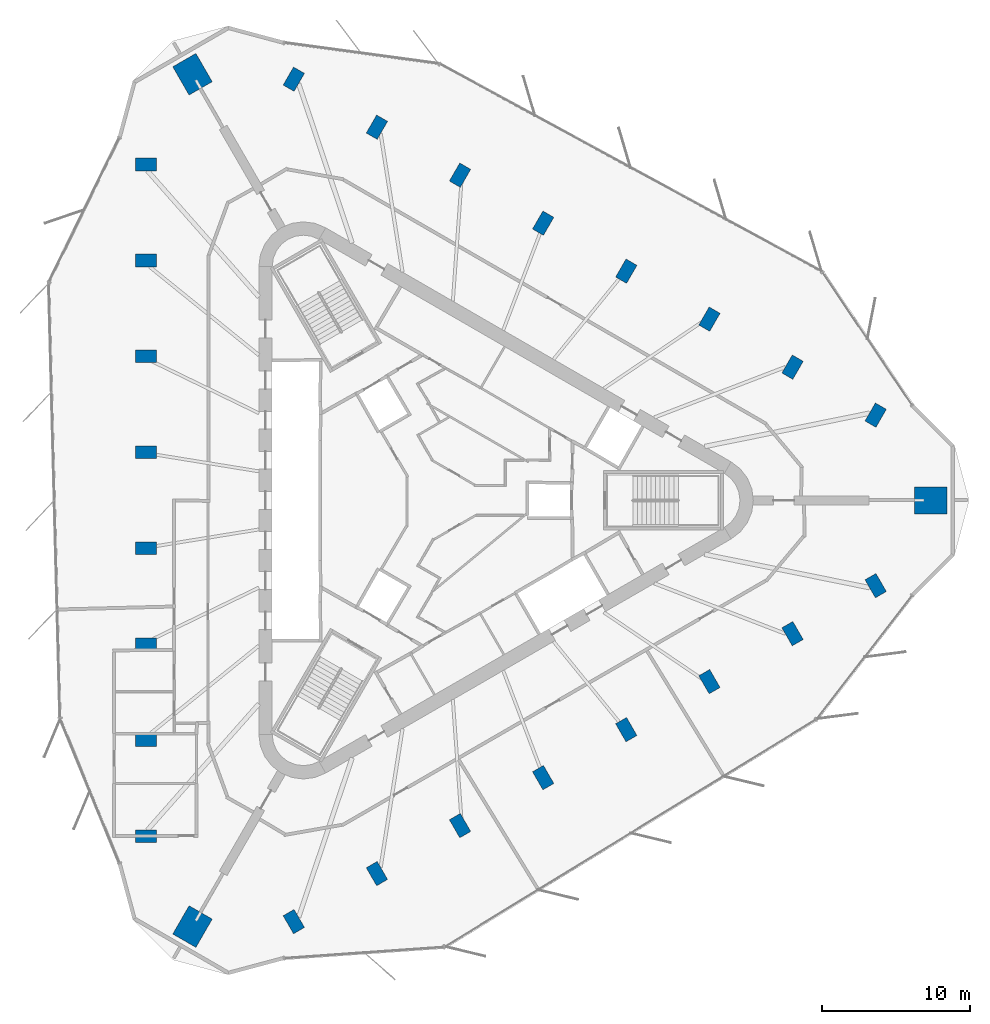
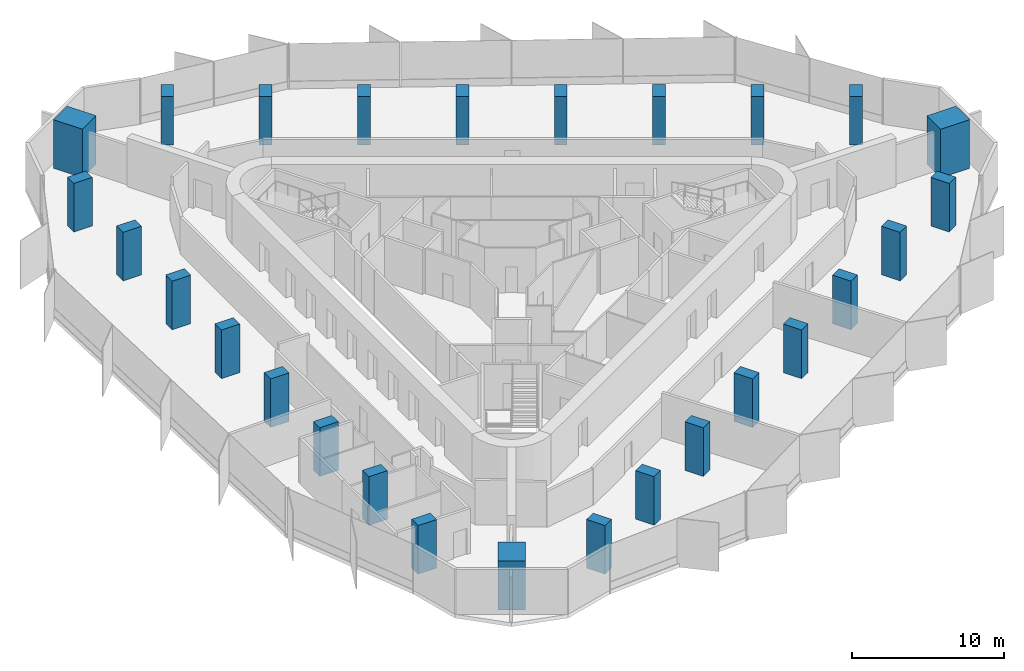
# One storey, part 1 of 12: 27 columns.
"""IFC4 building model written with IfcOpenShell, lengths in metres."""

import ifcopenshell
import ifcopenshell.guid

model = None  # the IFC model being written
_history = None  # IfcOwnerHistory: only IFC2X3 demands one
_inside = {}  # id of a spatial element -> (the spatial element, [elements in it])
_under = {}  # id of a project, library or spatial element -> (it, [spatial elements below it])
_declared = {}  # id of a project -> (the project, [libraries it declares])
_typed = {}  # id of a type object -> (the type object, [elements of that type])
_made_of = {}  # id of a material, layer set ... -> (it, [elements and type objects made of it])


def new_model(schema):
    """Start an empty IFC model of exactly this schema.

    Asked for "IFC4X3", IfcOpenShell would pick the latest addendum, in which some entities
    have other attributes; the version numbers below select the first issue.
    IFC2X3 requires an IfcOwnerHistory on every rooted entity: one is made here for all.
    """
    global model, _history
    if schema == "IFC4X3":
        model = ifcopenshell.file(schema_version=(4, 3, 0, 0))
    else:
        model = ifcopenshell.file(schema=schema)
    _inside.clear()
    _under.clear()
    _declared.clear()
    _typed.clear()
    _made_of.clear()
    _history = None
    if model.schema == "IFC2X3":
        org = make("IfcOrganization", Name="unknown")
        user = make(
            "IfcPersonAndOrganization",
            ThePerson=make("IfcPerson", FamilyName="unknown"),
            TheOrganization=org,
        )
        app = make(
            "IfcApplication",
            ApplicationDeveloper=org,
            Version="unknown",
            ApplicationFullName="unknown",
            ApplicationIdentifier="unknown",
        )
        _history = make(
            "IfcOwnerHistory",
            OwningUser=user,
            OwningApplication=app,
            ChangeAction="ADDED",
            CreationDate=0,
        )
    return model


def make(cls, **values):
    """One entity of the class cls with the attributes given. An attribute that is None is left unset."""
    return model.create_entity(
        cls, **{name: value for name, value in values.items() if value is not None}
    )


def rooted(cls, **values):
    """An entity with a GlobalId (a new one), such as an element, a storey or a relation."""
    return make(cls, GlobalId=ifcopenshell.guid.new(), OwnerHistory=_history, **values)


def si_unit(unit_type, name, prefix=None):
    """IfcSIUnit, for example si_unit("LENGTHUNIT", "METRE", prefix="MILLI")."""
    return make("IfcSIUnit", UnitType=unit_type, Prefix=prefix, Name=name)


def assignment(units):
    """IfcUnitAssignment: the units of a project."""
    return None if units is None else make("IfcUnitAssignment", Units=units)


def point(xyz):
    """IfcCartesianPoint."""
    return None if xyz is None else make("IfcCartesianPoint", Coordinates=xyz)


def direction(xyz):
    """IfcDirection."""
    return None if xyz is None else make("IfcDirection", DirectionRatios=xyz)


def frame(location, z_axis=None, x_axis=None):
    """IfcAxis2Placement3D, a coordinate frame: its origin and axes. An axis left out is left unset."""
    return make(
        "IfcAxis2Placement3D",
        Location=point(location),
        Axis=direction(z_axis),
        RefDirection=direction(x_axis),
    )


def frame_2d(location, x_axis=None):
    """IfcAxis2Placement2D, a coordinate frame in the plane: its origin and x axis."""
    return make(
        "IfcAxis2Placement2D", Location=point(location), RefDirection=direction(x_axis)
    )


def origin():
    """The frame at (0, 0, 0) with its axes left unset."""
    return frame((0.0, 0.0, 0.0))


def origin_2d():
    """The frame at (0, 0) in the plane with its x axis left unset."""
    return frame_2d((0.0, 0.0))


def place(relative_to, where):
    """IfcLocalPlacement: puts the frame where relative to a parent placement (None: the world)."""
    return make(
        "IfcLocalPlacement", PlacementRelTo=relative_to, RelativePlacement=where
    )


def context(
    kind, dimensions, precision=None, world=None, true_north=None, identifier=None
):
    """IfcGeometricRepresentationContext, for example the 3D "Model" context."""
    return make(
        "IfcGeometricRepresentationContext",
        ContextIdentifier=identifier,
        ContextType=kind,
        CoordinateSpaceDimension=dimensions,
        Precision=precision,
        WorldCoordinateSystem=world,
        TrueNorth=true_north,
    )


def subcontext(parent, identifier, kind, view, scale=None):
    """IfcGeometricRepresentationSubContext, for example "Body" below "Model"."""
    return make(
        "IfcGeometricRepresentationSubContext",
        ContextIdentifier=identifier,
        ContextType=kind,
        ParentContext=parent,
        TargetScale=scale,
        TargetView=view,
    )


def project(units=None, contexts=None):
    """IfcProject with its units and contexts."""
    return rooted(
        "IfcProject",
        Name="project",
        RepresentationContexts=contexts,
        UnitsInContext=assignment(units),
    )


def spatial(cls, under=None, at=None, **own):
    """A site, building, storey or space (cls), placed at a placement, below another one or the project."""
    s = rooted(cls, ObjectPlacement=at, **own)
    if under is not None:
        _under.setdefault(under.id(), (under, []))[1].append(s)
    return s


def profile(cls, at=None, kind="AREA", **sizes):
    """A parametric profile (cls). Its sizes go by their IFC names, for example OverallWidth=200.0."""
    return make(cls, ProfileType=kind, Position=at, **sizes)


def rectangle(**sizes):
    """IfcRectangleProfileDef."""
    return profile("IfcRectangleProfileDef", **sizes)


def extrude(swept, where, along, depth):
    """IfcExtrudedAreaSolid: the profile swept, set in the frame where, extruded along a direction by depth."""
    return make(
        "IfcExtrudedAreaSolid",
        SweptArea=swept,
        Position=where,
        ExtrudedDirection=direction(along),
        Depth=depth,
    )


def shape(context_of_items, identifier, shape_type, items):
    """IfcShapeRepresentation: the items that make up one representation, for example the "Body"."""
    return make(
        "IfcShapeRepresentation",
        ContextOfItems=context_of_items,
        RepresentationIdentifier=identifier,
        RepresentationType=shape_type,
        Items=items,
    )


def material(Name=None, Category=None):
    """IfcMaterial."""
    return make("IfcMaterial", Name=Name, Category=Category)


def material_profile(
    of_material, cross_section, Name=None, Category=None, Priority=None
):
    """IfcMaterialProfile: a cross section and its material."""
    return make(
        "IfcMaterialProfile",
        Name=Name,
        Material=of_material,
        Profile=cross_section,
        Priority=Priority,
        Category=Category,
    )


def profile_set(profiles, Name=None, composite=None):
    """IfcMaterialProfileSet."""
    return make(
        "IfcMaterialProfileSet",
        Name=Name,
        MaterialProfiles=profiles,
        CompositeProfile=composite,
    )


def made_of(thing, what):
    """Note that an element or type object is made of a material, layer set ...; save() writes the relation."""
    if what is not None:
        _made_of.setdefault(what.id(), (what, []))[1].append(thing)
    return thing


def type_object(cls, material=None, **own):
    """A type object (cls), such as IfcWallType, which elements share."""
    return made_of(rooted(cls, **own), material)


def element(
    cls,
    number,
    at=None,
    inside=None,
    cuts=None,
    type_object=None,
    material=None,
    context=None,
    identifier="Body",
    shape_type=None,
    held_by="IfcProductDefinitionShape",
    body=None,
    shapes=None,
    **own,
):
    """One element of the class cls, such as IfcWall. Its Tag is "e" and its number.

    at: its placement. inside: the storey or other place that contains it. cuts: it is an
    opening in that element (IfcRelVoidsElement). A single representation is given by context,
    identifier, shape_type and body (its items); several are given by shapes. held_by: the class
    of the entity that holds the representations. save() writes the other relations.
    """
    e = rooted(cls, Tag="e%d" % number, ObjectPlacement=at, **own)
    if body is not None:
        shapes = [shape(context, identifier, shape_type, body)]
    if shapes is not None:
        e.Representation = make(held_by, Representations=shapes)
    if inside is not None:
        _inside.setdefault(inside.id(), (inside, []))[1].append(e)
    if cuts is not None:
        rooted(
            "IfcRelVoidsElement", RelatingBuildingElement=cuts, RelatedOpeningElement=e
        )
    if type_object is not None:
        _typed.setdefault(type_object.id(), (type_object, []))[1].append(e)
    return made_of(e, material)


def aggregate(whole, parts):
    """IfcRelAggregates: a whole, such as a stair, and the parts it consists of."""
    return rooted("IfcRelAggregates", RelatingObject=whole, RelatedObjects=parts)


def save(model, path):
    """Write the relations noted so far, then the file.

    IfcRelAggregates (storeys below a building ...), IfcRelContainedInSpatialStructure (elements
    in a storey), IfcRelDefinesByType, IfcRelAssociatesMaterial and IfcRelDeclares: one each for
    every whole, place, type object, material and project.
    """
    for whole, parts in _under.values():
        aggregate(whole, parts)
    for where, things in _inside.values():
        rooted(
            "IfcRelContainedInSpatialStructure",
            RelatedElements=things,
            RelatingStructure=where,
        )
    for kind, things in _typed.values():
        rooted("IfcRelDefinesByType", RelatedObjects=things, RelatingType=kind)
    for what, things in _made_of.values():
        rooted("IfcRelAssociatesMaterial", RelatedObjects=things, RelatingMaterial=what)
    for by, libraries in _declared.values():
        rooted("IfcRelDeclares", RelatingContext=by, RelatedDefinitions=libraries)
    model.write(path)


model = new_model("IFC4")

# Units and contexts
model_context = context("Model", 3, precision=1e-05, world=origin(), true_north=direction((0.0, 1.0)))
body_context = subcontext(model_context, "Body", "Model", "MODEL_VIEW")
ifc_project = project(units=[si_unit("LENGTHUNIT", "METRE"), si_unit("AREAUNIT", "SQUARE_METRE"), si_unit("VOLUMEUNIT", "CUBIC_METRE"), si_unit("PLANEANGLEUNIT", "RADIAN"), si_unit("MASSUNIT", "GRAM", prefix="KILO")], contexts=[model_context])

# Site, building, storey
site_placement = place(None, origin())
site = spatial("IfcSite", under=ifc_project, at=site_placement, CompositionType="ELEMENT")
building_placement = place(site_placement, origin())
building = spatial("IfcBuilding", under=site, at=building_placement, Name="Tanit Gate Tower", CompositionType="ELEMENT")
storey_placement = place(building_placement, frame((0.0, 0.0, 345.5)))
storey = spatial("IfcBuildingStorey", under=building, at=storey_placement, Name="L78", CompositionType="ELEMENT", Elevation=345.5)

# Columns
ifc_material_1 = material(Name="Concrete C50/60", Category="concrete")
ifc_material_profile_1 = material_profile(ifc_material_1, rectangle(XDim=2.199951171875, YDim=1.800048828125, at=origin_2d()), Name="RC 2200x1800")
ifc_profile_set_1 = profile_set([ifc_material_profile_1], Name="Concrete C50/60")
column_type_1 = type_object("IfcColumnType", Name="MEGA COLUMN 2200x1800 C50/60", PredefinedType="COLUMN", material=ifc_profile_set_1)
for number, where, z_axis, x_axis, name in (
    (1, (33.139404296875, 0.0, 0.0), (0.0, 0.0, 1.0), (1.0, 0.0, 0.0), "MEGA COLUMN"),
    (2, (-16.569580078125, 28.699462890625, 0.0), (0.0, 0.0, 1.0), (-0.5, 0.866025403784, 0.0), "MEGA COLUMN"),
    (3, (-16.569580078125, -28.699462890625, 0.0), (0.0, 0.0, 1.0), (-0.5, -0.866025403784, 0.0), "MEGA COLUMN"),
):
    element("IfcColumn", number, at=place(storey_placement, frame(where, z_axis=z_axis, x_axis=x_axis)), inside=storey, type_object=column_type_1, Name=name, PredefinedType="COLUMN", context=body_context, shape_type="SweptSolid", body=[
        extrude(rectangle(XDim=2.199951171875, YDim=1.800048828125, at=origin_2d()), origin(), (0.0, 0.0, 1.0), 3.89990234375),
    ])
ifc_material_2 = material(Name="Concrete C40/50", Category="concrete")
ifc_material_profile_2 = material_profile(ifc_material_2, rectangle(XDim=1.39990234375, YDim=0.85009765625, at=origin_2d()), Name="RC 1400x850")
ifc_profile_set_2 = profile_set([ifc_material_profile_2], Name="Concrete C40/50")
column_type_2 = type_object("IfcColumnType", Name="PERIMETER COLUMN 1400x850 C40/50", PredefinedType="COLUMN", material=ifc_profile_set_2)
for number, where, z_axis, x_axis, name in (
    (4, (-19.69189453125, 22.62353515625, 0.0), (0.0, 0.0, 1.0), (-1.0, 0.0, 0.0), "PERIMETER COLUMN"),
    (5, (-19.69189453125, 16.15966796875, 0.0), (0.0, 0.0, 1.0), (-1.0, 0.0, 0.0), "PERIMETER COLUMN"),
    (6, (-19.69189453125, 9.69580078125, 0.0), (0.0, 0.0, 1.0), (-1.0, 0.0, 0.0), "PERIMETER COLUMN"),
    (7, (-19.69189453125, 3.23193359375, 0.0), (0.0, 0.0, 1.0), (-1.0, 0.0, 0.0), "PERIMETER COLUMN"),
    (8, (-19.69189453125, -3.23193359375, 0.0), (0.0, 0.0, 1.0), (-1.0, 0.0, 0.0), "PERIMETER COLUMN"),
    (9, (-19.69189453125, -9.69580078125, 0.0), (0.0, 0.0, 1.0), (-1.0, 0.0, 0.0), "PERIMETER COLUMN"),
    (10, (-19.69189453125, -16.15966796875, 0.0), (0.0, 0.0, 1.0), (-1.0, 0.0, 0.0), "PERIMETER COLUMN"),
    (11, (-19.69189453125, -22.62353515625, 0.0), (0.0, 0.0, 1.0), (-1.0, 0.0, 0.0), "PERIMETER COLUMN"),
    (12, (29.4384765625, 5.74169921875, 0.0), (0.0, 0.0, 1.0), (0.5, 0.866025403784, 0.0), "PERIMETER COLUMN"),
    (13, (23.840576171875, 8.9736328125, 0.0), (0.0, 0.0, 1.0), (0.5, 0.866025403784, 0.0), "PERIMETER COLUMN"),
    (14, (18.24267578125, 12.20556640625, 0.0), (0.0, 0.0, 1.0), (0.5, 0.866025403784, 0.0), "PERIMETER COLUMN"),
    (15, (12.644775390625, 15.4375, 0.0), (0.0, 0.0, 1.0), (0.5, 0.866025403784, 0.0), "PERIMETER COLUMN"),
    (16, (7.046875, 18.66943359375, 0.0), (0.0, 0.0, 1.0), (0.5, 0.866025403784, 0.0), "PERIMETER COLUMN"),
    (17, (1.448974609375, 21.901611328125, 0.0), (0.0, 0.0, 1.0), (0.5, 0.866025403784, 0.0), "PERIMETER COLUMN"),
    (18, (-4.14892578125, 25.13330078125, 0.0), (0.0, 0.0, 1.0), (0.5, 0.866025403784, 0.0), "PERIMETER COLUMN"),
    (19, (-9.746826171875, 28.365478515625, 0.0), (0.0, 0.0, 1.0), (0.5, 0.866025403784, 0.0), "PERIMETER COLUMN"),
    (20, (-9.746826171875, -28.365478515625, 0.0), (0.0, 0.0, 1.0), (0.5, -0.866025403784, 0.0), "PERIMETER COLUMN"),
    (21, (-4.14892578125, -25.13330078125, 0.0), (0.0, 0.0, 1.0), (0.5, -0.866025403784, 0.0), "PERIMETER COLUMN"),
    (22, (1.448974609375, -21.901611328125, 0.0), (0.0, 0.0, 1.0), (0.5, -0.866025403784, 0.0), "PERIMETER COLUMN"),
    (23, (7.046875, -18.66943359375, 0.0), (0.0, 0.0, 1.0), (0.5, -0.866025403784, 0.0), "PERIMETER COLUMN"),
    (24, (12.644775390625, -15.4375, 0.0), (0.0, 0.0, 1.0), (0.5, -0.866025403784, 0.0), "PERIMETER COLUMN"),
    (25, (18.24267578125, -12.20556640625, 0.0), (0.0, 0.0, 1.0), (0.5, -0.866025403784, 0.0), "PERIMETER COLUMN"),
    (26, (23.840576171875, -8.9736328125, 0.0), (0.0, 0.0, 1.0), (0.5, -0.866025403784, 0.0), "PERIMETER COLUMN"),
    (27, (29.4384765625, -5.74169921875, 0.0), (0.0, 0.0, 1.0), (0.5, -0.866025403784, 0.0), "PERIMETER COLUMN"),
):
    element("IfcColumn", number, at=place(storey_placement, frame(where, z_axis=z_axis, x_axis=x_axis)), inside=storey, type_object=column_type_2, Name=name, PredefinedType="COLUMN", context=body_context, shape_type="SweptSolid", body=[
        extrude(rectangle(XDim=1.39990234375, YDim=0.85009765625, at=origin_2d()), origin(), (0.0, 0.0, 1.0), 3.89990234375),
    ])

save(model, "model.ifc")
